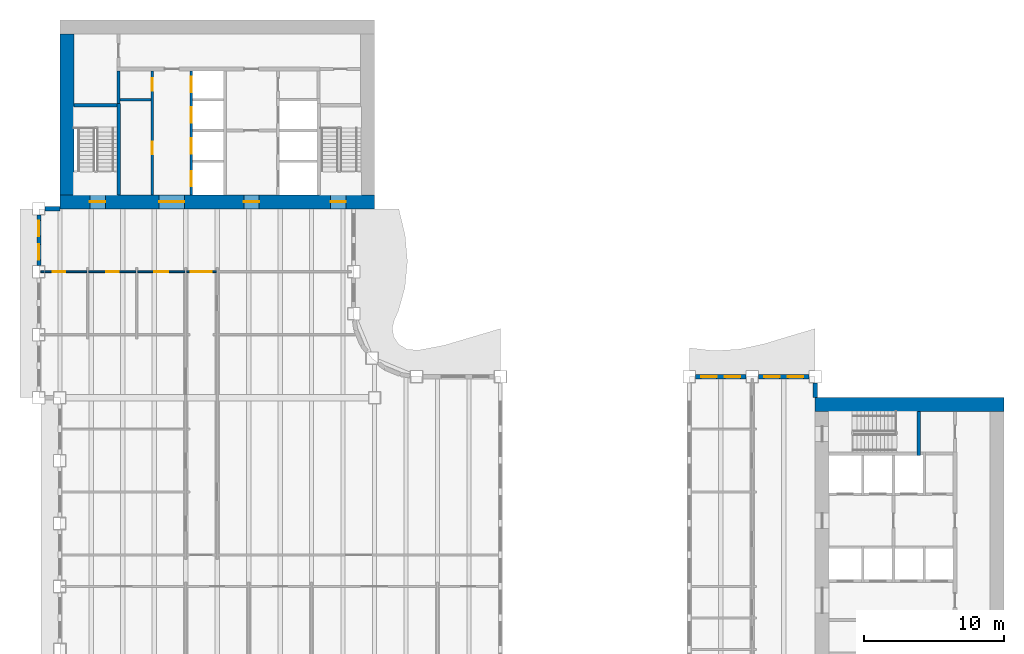
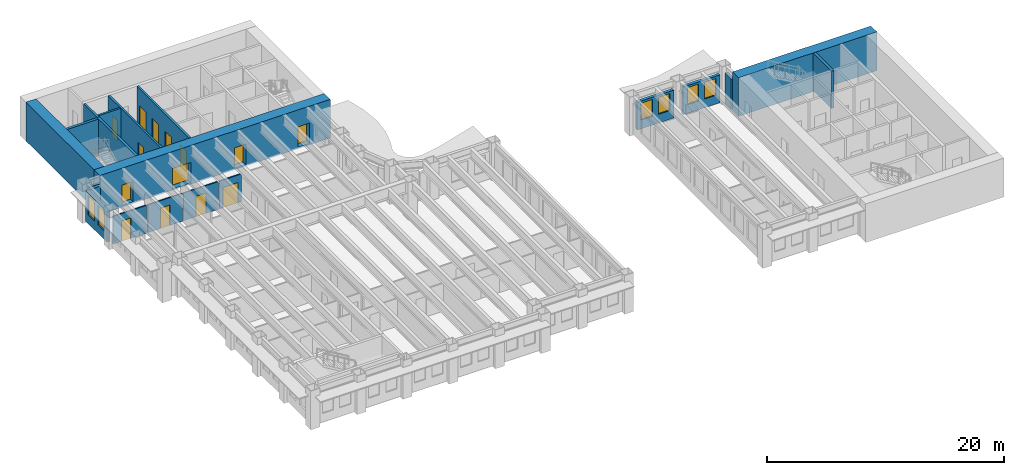
# One storey, part 7 of 13: 19 walls, 14 doors, 6 windows, 20 openings.
"""IFC4 building model written with IfcOpenShell, lengths in metres."""

from ifc_helpers import new_model, si_unit, direction, frame, frame_2d, origin, place, context, subcontext, project, spatial, rectangle, extrude, material, layer, layer_set, type_object, element, fill, save


model = new_model("IFC4")

# Units and contexts
model_context = context("Model", 3, precision=1e-05, world=origin(), true_north=direction((0.0, 1.0)))
body_context = subcontext(model_context, "Body", "Model", "MODEL_VIEW")
ifc_project = project(units=[si_unit("LENGTHUNIT", "METRE"), si_unit("AREAUNIT", "SQUARE_METRE"), si_unit("VOLUMEUNIT", "CUBIC_METRE"), si_unit("PLANEANGLEUNIT", "RADIAN"), si_unit("MASSUNIT", "GRAM", prefix="KILO")], contexts=[model_context])

# Site, building, storey
site_placement = place(None, origin())
site = spatial("IfcSite", under=ifc_project, at=site_placement, CompositionType="ELEMENT")
building_placement = place(site_placement, origin())
building = spatial("IfcBuilding", under=site, at=building_placement, Name="Sennacour Bend Tower", CompositionType="ELEMENT")
storey_placement = place(building_placement, frame((0.0, 0.0, 143.0)))
storey = spatial("IfcBuildingStorey", under=building, at=storey_placement, Name="L32", CompositionType="ELEMENT", Elevation=143.0)

# Wall
ifc_material_1 = material(Name="Concrete C60/75", Category="concrete")
ifc_layer_1 = layer(ifc_material_1, 1.0, Name="Concrete C60/75", Category="concrete")
ifc_layer_set_1 = layer_set([ifc_layer_1], Name="Concrete C60/75")
wall_type_1 = type_object("IfcWallType", Name="Core wall 1000 C60/75", PredefinedType="SHEAR", material=ifc_layer_set_1)
wall_1_placement = place(storey_placement, frame((54.0, 22.0, -0.14990234375), z_axis=(0.0, 0.0, 1.0), x_axis=(1.0, 0.0, 0.0)))
element("IfcWall", 1, at=wall_1_placement, inside=storey, type_object=wall_type_1, Name="Core A wall L32 N", PredefinedType="SHEAR", context=body_context, shape_type="SweptSolid", body=[
    extrude(rectangle(XDim=13.5, YDim=1.0, at=frame_2d((6.75, 0.0))), origin(), (0.0, 0.0, 1.0), 4.0),
])

# Wall, openings, doors
wall_2_placement = place(storey_placement, frame((0.0, 36.5, -0.14990234375), z_axis=(0.0, 0.0, 1.0), x_axis=(1.0, 0.0, 0.0)))
wall_2 = element("IfcWall", 2, at=wall_2_placement, inside=storey, type_object=wall_type_1, Name="Core B wall L32 S", PredefinedType="SHEAR", context=body_context, shape_type="SweptSolid", body=[
    extrude(rectangle(XDim=22.5, YDim=1.0, at=frame_2d((11.25, 0.0))), origin(), (0.0, 0.0, 1.0), 4.0),
])
opening_1_placement = place(wall_2_placement, frame((7.10009765625, 0.0, 0.14990234375)))
opening_1 = element("IfcOpeningElement", 3, at=opening_1_placement, cuts=wall_2, Name="Opening CD", PredefinedType="OPENING", context=body_context, shape_type="SweptSolid", body=[
    extrude(rectangle(XDim=1.800048828125, YDim=2.10009765625, at=frame_2d((0.89990234375, 1.050048828125))), frame((0.0, 0.510009765625, 0.0), z_axis=(0.0, -1.0, 0.0), x_axis=(1.0, 0.0, 0.0)), (0.0, 0.0, 1.0), 1.02001953125),
])
opening_2_placement = place(wall_2_placement, frame((13.14990234375, 0.0, 0.14990234375)))
opening_2 = element("IfcOpeningElement", 4, at=opening_2_placement, cuts=wall_2, Name="Opening FD", PredefinedType="OPENING", context=body_context, shape_type="SweptSolid", body=[
    extrude(rectangle(XDim=1.10009765625, YDim=2.10009765625, at=frame_2d((0.550048828125, 1.050048828125))), frame((0.0, 0.510009765625, 0.0), z_axis=(0.0, -1.0, 0.0), x_axis=(1.0, 0.0, 0.0)), (0.0, 0.0, 1.0), 1.02001953125),
])
opening_3_placement = place(wall_2_placement, frame((2.14990234375, 0.0, 0.14990234375)))
opening_3 = element("IfcOpeningElement", 5, at=opening_3_placement, cuts=wall_2, Name="Opening SD", PredefinedType="OPENING", context=body_context, shape_type="SweptSolid", body=[
    extrude(rectangle(XDim=1.10009765625, YDim=2.10009765625, at=frame_2d((0.550048828125, 1.050048828125))), frame((0.0, 0.510009765625, 0.0), z_axis=(0.0, -1.0, 0.0), x_axis=(1.0, 0.0, 0.0)), (0.0, 0.0, 1.0), 1.02001953125),
])
opening_4_placement = place(wall_2_placement, frame((19.35009765625, 0.0, 0.14990234375)))
opening_4 = element("IfcOpeningElement", 6, at=opening_4_placement, cuts=wall_2, Name="Opening SD", PredefinedType="OPENING", context=body_context, shape_type="SweptSolid", body=[
    extrude(rectangle(XDim=1.10009765625, YDim=2.10009765625, at=frame_2d((0.550048828125, 1.050048828125))), frame((0.0, 0.510009765625, 0.0), z_axis=(0.0, -1.0, 0.0), x_axis=(1.0, 0.0, 0.0)), (0.0, 0.0, 1.0), 1.02001953125),
])
ifc_material_2 = material(Name="Painted steel", Category="steel")
door_type_1 = type_object("IfcDoorType", Name="DR-FFL-1100", OperationType="NOTDEFINED", PredefinedType="DOOR", material=ifc_material_2)
door_1_placement = place(opening_2_placement, origin())
door_1 = element("IfcDoor", 7, at=door_1_placement, inside=storey, type_object=door_type_1, Name="Door", OperationType="SINGLE_SWING_RIGHT", OverallHeight=2.10009765625, OverallWidth=1.10009765625, PredefinedType="DOOR", context=body_context, shape_type="SweptSolid", body=[
    extrude(rectangle(XDim=1.10009765625, YDim=2.10009765625, at=frame_2d((0.550048828125, 1.050048828125))), frame((0.0, 0.02490234375, 0.0), z_axis=(0.0, -1.0, 0.0), x_axis=(1.0, 0.0, 0.0)), (0.0, 0.0, 1.0), 0.050048828125),
])
fill(opening_2, door_1)
door_type_2 = type_object("IfcDoorType", Name="DR-LOBBY-1800", OperationType="NOTDEFINED", PredefinedType="DOOR", material=ifc_material_2)
door_2_placement = place(opening_1_placement, origin())
door_2 = element("IfcDoor", 8, at=door_2_placement, inside=storey, type_object=door_type_2, Name="Door", OperationType="DOUBLE_DOOR_SINGLE_SWING", OverallHeight=2.10009765625, OverallWidth=1.800048828125, PredefinedType="DOOR", context=body_context, shape_type="SweptSolid", body=[
    extrude(rectangle(XDim=1.800048828125, YDim=2.10009765625, at=frame_2d((0.89990234375, 1.050048828125))), frame((0.0, 0.02490234375, 0.0), z_axis=(0.0, -1.0, 0.0), x_axis=(1.0, 0.0, 0.0)), (0.0, 0.0, 1.0), 0.050048828125),
])
fill(opening_1, door_2)
door_type_3 = type_object("IfcDoorType", Name="DR-STAIR-1100", OperationType="NOTDEFINED", PredefinedType="DOOR", material=ifc_material_2)
door_3_placement = place(opening_3_placement, origin())
door_3 = element("IfcDoor", 9, at=door_3_placement, inside=storey, type_object=door_type_3, Name="Door", OperationType="SINGLE_SWING_LEFT", OverallHeight=2.10009765625, OverallWidth=1.10009765625, PredefinedType="DOOR", context=body_context, shape_type="SweptSolid", body=[
    extrude(rectangle(XDim=1.10009765625, YDim=2.10009765625, at=frame_2d((0.550048828125, 1.050048828125))), frame((0.0, 0.02490234375, 0.0), z_axis=(0.0, -1.0, 0.0), x_axis=(1.0, 0.0, 0.0)), (0.0, 0.0, 1.0), 0.050048828125),
])
fill(opening_3, door_3)
door_4_placement = place(opening_4_placement, origin())
door_4 = element("IfcDoor", 10, at=door_4_placement, inside=storey, type_object=door_type_3, Name="Door", OperationType="SINGLE_SWING_RIGHT", OverallHeight=2.10009765625, OverallWidth=1.10009765625, PredefinedType="DOOR", context=body_context, shape_type="SweptSolid", body=[
    extrude(rectangle(XDim=1.10009765625, YDim=2.10009765625, at=frame_2d((0.550048828125, 1.050048828125))), frame((0.0, 0.02490234375, 0.0), z_axis=(0.0, -1.0, 0.0), x_axis=(1.0, 0.0, 0.0)), (0.0, 0.0, 1.0), 0.050048828125),
])
fill(opening_4, door_4)

# Wall
wall_3_placement = place(storey_placement, frame((0.5, 37.0, -0.14990234375), z_axis=(0.0, 0.0, 1.0), x_axis=(0.0, 1.0, 0.0)))
element("IfcWall", 11, at=wall_3_placement, inside=storey, type_object=wall_type_1, Name="Core B wall L32 W", PredefinedType="SHEAR", context=body_context, shape_type="SweptSolid", body=[
    extrude(rectangle(XDim=11.5, YDim=1.0, at=frame_2d((5.75, 0.0))), origin(), (0.0, 0.0, 1.0), 4.0),
])

# Wall, opening, door
ifc_material_3 = material(Name="Plasterboard partition on steel studs", Category="steel")
ifc_layer_2 = layer(ifc_material_3, 0.1201171875, Name="Plasterboard partition on steel studs", Category="steel")
ifc_layer_set_2 = layer_set([ifc_layer_2], Name="Plasterboard partition on steel studs")
wall_type_2 = type_object("IfcWallType", Name="Partition 120", PredefinedType="PARTITIONING", material=ifc_layer_set_2)
wall_4_placement = place(storey_placement, frame((-1.35009765625, 31.5, 0.0), z_axis=(0.0, 0.0, 1.0), x_axis=(1.0, 0.0, 0.0)))
wall_4 = element("IfcWall", 12, at=wall_4_placement, inside=storey, type_object=wall_type_2, Name="P-L32-W069aa", PredefinedType="PARTITIONING", context=body_context, shape_type="SweptSolid", body=[
    extrude(rectangle(XDim=3.2900390625, YDim=0.1201171875, at=frame_2d((1.64501953125, 0.0))), origin(), (0.0, 0.0, 1.0), 2.8701171875),
])
opening_5_placement = place(wall_4_placement, frame((0.85009765625, 0.0, 0.0)))
opening_5 = element("IfcOpeningElement", 13, at=opening_5_placement, cuts=wall_4, Name="Opening WD", PredefinedType="OPENING", context=body_context, shape_type="SweptSolid", body=[
    extrude(rectangle(XDim=0.89990234375, YDim=2.10009765625, at=frame_2d((0.449951171875, 1.050048828125))), frame((0.0, 0.070068359375, 0.0), z_axis=(0.0, -1.0, 0.0), x_axis=(1.0, 0.0, 0.0)), (0.0, 0.0, 1.0), 0.14013671875),
])
ifc_material_4 = material(Name="Timber", Category="wood")
door_type_4 = type_object("IfcDoorType", Name="DR-WC-900", OperationType="NOTDEFINED", PredefinedType="DOOR", material=ifc_material_4)
door_5_placement = place(opening_5_placement, origin())
door_5 = element("IfcDoor", 14, at=door_5_placement, inside=storey, type_object=door_type_4, Name="Door", OperationType="SINGLE_SWING_LEFT", OverallHeight=2.10009765625, OverallWidth=0.89990234375, PredefinedType="DOOR", context=body_context, shape_type="SweptSolid", body=[
    extrude(rectangle(XDim=0.89990234375, YDim=2.10009765625, at=frame_2d((0.449951171875, 1.050048828125))), frame((0.0, 0.02490234375, 0.0), z_axis=(0.0, -1.0, 0.0), x_axis=(1.0, 0.0, 0.0)), (0.0, 0.0, 1.0), 0.050048828125),
])
fill(opening_5, door_5)

wall_5_placement = place(storey_placement, frame((2.06005859375, 31.5, 0.0), z_axis=(0.0, 0.0, 1.0), x_axis=(1.0, 0.0, 0.0)))
wall_5 = element("IfcWall", 15, at=wall_5_placement, inside=storey, type_object=wall_type_2, Name="P-L32-W069ab", PredefinedType="PARTITIONING", context=body_context, shape_type="SweptSolid", body=[
    extrude(rectangle(XDim=3.3798828125, YDim=0.1201171875, at=frame_2d((1.68994140625, 0.0))), origin(), (0.0, 0.0, 1.0), 2.8701171875),
])
opening_6_placement = place(wall_5_placement, frame((1.239990234375, 0.0, 0.0)))
opening_6 = element("IfcOpeningElement", 16, at=opening_6_placement, cuts=wall_5, Name="Opening WD", PredefinedType="OPENING", context=body_context, shape_type="SweptSolid", body=[
    extrude(rectangle(XDim=0.89990234375, YDim=2.10009765625, at=frame_2d((0.449951171875, 1.050048828125))), frame((0.0, 0.070068359375, 0.0), z_axis=(0.0, -1.0, 0.0), x_axis=(1.0, 0.0, 0.0)), (0.0, 0.0, 1.0), 0.14013671875),
])
door_6_placement = place(opening_6_placement, origin())
door_6 = element("IfcDoor", 17, at=door_6_placement, inside=storey, type_object=door_type_4, Name="Door", OperationType="SINGLE_SWING_LEFT", OverallHeight=2.10009765625, OverallWidth=0.89990234375, PredefinedType="DOOR", context=body_context, shape_type="SweptSolid", body=[
    extrude(rectangle(XDim=0.89990234375, YDim=2.10009765625, at=frame_2d((0.449951171875, 1.050048828125))), frame((0.0, 0.02490234375, 0.0), z_axis=(0.0, -1.0, 0.0), x_axis=(1.0, 0.0, 0.0)), (0.0, 0.0, 1.0), 0.050048828125),
])
fill(opening_6, door_6)

wall_6_placement = place(storey_placement, frame((5.56005859375, 31.5, 0.0), z_axis=(0.0, 0.0, 1.0), x_axis=(1.0, 0.0, 0.0)))
wall_6 = element("IfcWall", 18, at=wall_6_placement, inside=storey, type_object=wall_type_2, Name="P-L32-W069ac", PredefinedType="PARTITIONING", context=body_context, shape_type="SweptSolid", body=[
    extrude(rectangle(XDim=3.3798828125, YDim=0.1201171875, at=frame_2d((1.68994140625, 0.0))), origin(), (0.0, 0.0, 1.0), 2.8701171875),
])
opening_7_placement = place(wall_6_placement, frame((1.18994140625, 0.0, 0.0)))
opening_7 = element("IfcOpeningElement", 19, at=opening_7_placement, cuts=wall_6, Name="Opening AD", PredefinedType="OPENING", context=body_context, shape_type="SweptSolid", body=[
    extrude(rectangle(XDim=1.0, YDim=2.10009765625, at=frame_2d((0.5, 1.050048828125))), frame((0.0, 0.070068359375, 0.0), z_axis=(0.0, -1.0, 0.0), x_axis=(1.0, 0.0, 0.0)), (0.0, 0.0, 1.0), 0.14013671875),
])
door_type_5 = type_object("IfcDoorType", Name="DR-ACC-WC-1000", OperationType="NOTDEFINED", PredefinedType="DOOR", material=ifc_material_4)
door_7_placement = place(opening_7_placement, origin())
door_7 = element("IfcDoor", 20, at=door_7_placement, inside=storey, type_object=door_type_5, Name="Door", OperationType="SINGLE_SWING_LEFT", OverallHeight=2.10009765625, OverallWidth=1.0, PredefinedType="DOOR", context=body_context, shape_type="SweptSolid", body=[
    extrude(rectangle(XDim=1.0, YDim=2.10009765625, at=frame_2d((0.5, 1.050048828125))), frame((0.0, 0.02490234375, 0.0), z_axis=(0.0, -1.0, 0.0), x_axis=(1.0, 0.0, 0.0)), (0.0, 0.0, 1.0), 0.050048828125),
])
fill(opening_7, door_7)

ifc_layer_3 = layer(ifc_material_3, 0.1201171875, Name="Plasterboard partition on steel studs", Category="steel")
ifc_layer_set_3 = layer_set([ifc_layer_3], Name="Plasterboard partition on steel studs")
wall_type_3 = type_object("IfcWallType", Name="Partition 120 EI 30", PredefinedType="PARTITIONING", material=ifc_layer_set_3)
wall_7_placement = place(storey_placement, frame((9.06005859375, 31.5, 0.0), z_axis=(0.0, 0.0, 1.0), x_axis=(1.0, 0.0, 0.0)))
wall_7 = element("IfcWall", 21, at=wall_7_placement, inside=storey, type_object=wall_type_3, Name="P-L32-W069ad", PredefinedType="PARTITIONING", context=body_context, shape_type="SweptSolid", body=[
    extrude(rectangle(XDim=2.1298828125, YDim=0.1201171875, at=frame_2d((1.06494140625, 0.0))), origin(), (0.0, 0.0, 1.0), 2.8701171875),
])
opening_8_placement = place(wall_7_placement, frame((0.31494140625, 0.0, 0.0)))
opening_8 = element("IfcOpeningElement", 22, at=opening_8_placement, cuts=wall_7, Name="Opening KD", PredefinedType="OPENING", context=body_context, shape_type="SweptSolid", body=[
    extrude(rectangle(XDim=1.5, YDim=2.10009765625, at=frame_2d((0.75, 1.050048828125))), frame((0.0, 0.070068359375, 0.0), z_axis=(0.0, -1.0, 0.0), x_axis=(1.0, 0.0, 0.0)), (0.0, 0.0, 1.0), 0.14013671875),
])
door_type_6 = type_object("IfcDoorType", Name="DR-CORRIDOR-1500", OperationType="NOTDEFINED", PredefinedType="DOOR", material=ifc_material_2)
door_8_placement = place(opening_8_placement, origin())
door_8 = element("IfcDoor", 23, at=door_8_placement, inside=storey, type_object=door_type_6, Name="Door", OperationType="SINGLE_SWING_LEFT", OverallHeight=2.10009765625, OverallWidth=1.5, PredefinedType="DOOR", context=body_context, shape_type="SweptSolid", body=[
    extrude(rectangle(XDim=1.5, YDim=2.10009765625, at=frame_2d((0.75, 1.050048828125))), frame((0.0, 0.02490234375, 0.0), z_axis=(0.0, -1.0, 0.0), x_axis=(1.0, 0.0, 0.0)), (0.0, 0.0, 1.0), 0.050048828125),
])
fill(opening_8, door_8)

# Wall
ifc_material_5 = material(Name="Fire-rated plasterboard partition on steel studs", Category="steel")
ifc_layer_4 = layer(ifc_material_5, 0.199951171875, Name="Fire-rated plasterboard partition on steel studs", Category="steel")
ifc_layer_set_4 = layer_set([ifc_layer_4], Name="Fire-rated plasterboard partition on steel studs")
wall_type_4 = type_object("IfcWallType", Name="Rated partition 200", PredefinedType="PARTITIONING", material=ifc_layer_set_4)
wall_8_placement = place(storey_placement, frame((4.199951171875, 43.52490234375, 0.0), z_axis=(0.0, 0.0, 1.0), x_axis=(0.0, 1.0, 0.0)))
element("IfcWall", 24, at=wall_8_placement, inside=storey, type_object=wall_type_4, Name="P-L32-W006a", PredefinedType="PARTITIONING", context=body_context, shape_type="SweptSolid", body=[
    extrude(rectangle(XDim=2.3251953125, YDim=0.199951171875, at=frame_2d((1.16259765625, 0.0))), origin(), (0.0, 0.0, 1.0), 3.85009765625),
])

# Wall, openings, doors
wall_9_placement = place(storey_placement, frame((6.60009765625, 37.0, 0.0), z_axis=(0.0, 0.0, 1.0), x_axis=(0.0, 1.0, 0.0)))
wall_9 = element("IfcWall", 25, at=wall_9_placement, inside=storey, type_object=wall_type_4, Name="P-L32-W008", PredefinedType="PARTITIONING", context=body_context, shape_type="SweptSolid", body=[
    extrude(rectangle(XDim=8.85009765625, YDim=0.199951171875, at=frame_2d((4.425048828125, 0.0))), origin(), (0.0, 0.0, 1.0), 3.85009765625),
])
opening_9_placement = place(wall_9_placement, frame((2.89990234375, 0.0, 0.0)))
opening_9 = element("IfcOpeningElement", 26, at=opening_9_placement, cuts=wall_9, Name="Opening SV", PredefinedType="OPENING", context=body_context, shape_type="SweptSolid", body=[
    extrude(rectangle(XDim=0.89990234375, YDim=2.10009765625, at=frame_2d((0.449951171875, 1.050048828125))), frame((0.0, 0.10986328125, 0.0), z_axis=(0.0, -1.0, 0.0), x_axis=(1.0, 0.0, 0.0)), (0.0, 0.0, 1.0), 0.219970703125),
])
opening_10_placement = place(wall_9_placement, frame((7.425048828125, 0.0, 0.0)))
opening_10 = element("IfcOpeningElement", 27, at=opening_10_placement, cuts=wall_9, Name="Opening SV", PredefinedType="OPENING", context=body_context, shape_type="SweptSolid", body=[
    extrude(rectangle(XDim=0.89990234375, YDim=2.10009765625, at=frame_2d((0.449951171875, 1.050048828125))), frame((0.0, 0.10986328125, 0.0), z_axis=(0.0, -1.0, 0.0), x_axis=(1.0, 0.0, 0.0)), (0.0, 0.0, 1.0), 0.219970703125),
])
door_type_7 = type_object("IfcDoorType", Name="DR-SERVICE-900", OperationType="NOTDEFINED", PredefinedType="DOOR", material=ifc_material_2)
door_9_placement = place(opening_9_placement, origin())
door_9 = element("IfcDoor", 28, at=door_9_placement, inside=storey, type_object=door_type_7, Name="Door", OperationType="SINGLE_SWING_LEFT", OverallHeight=2.10009765625, OverallWidth=0.89990234375, PredefinedType="DOOR", context=body_context, shape_type="SweptSolid", body=[
    extrude(rectangle(XDim=0.89990234375, YDim=2.10009765625, at=frame_2d((0.449951171875, 1.050048828125))), frame((0.0, 0.02490234375, 0.0), z_axis=(0.0, -1.0, 0.0), x_axis=(1.0, 0.0, 0.0)), (0.0, 0.0, 1.0), 0.050048828125),
])
fill(opening_9, door_9)
door_10_placement = place(opening_10_placement, origin())
door_10 = element("IfcDoor", 29, at=door_10_placement, inside=storey, type_object=door_type_7, Name="Door", OperationType="SINGLE_SWING_RIGHT", OverallHeight=2.10009765625, OverallWidth=0.89990234375, PredefinedType="DOOR", context=body_context, shape_type="SweptSolid", body=[
    extrude(rectangle(XDim=0.89990234375, YDim=2.10009765625, at=frame_2d((0.449951171875, 1.050048828125))), frame((0.0, 0.02490234375, 0.0), z_axis=(0.0, -1.0, 0.0), x_axis=(1.0, 0.0, 0.0)), (0.0, 0.0, 1.0), 0.050048828125),
])
fill(opening_10, door_10)

# Walls
wall_10_placement = place(storey_placement, frame((4.300048828125, 43.800048828125, 0.0), z_axis=(0.0, 0.0, 1.0), x_axis=(1.0, 0.0, 0.0)))
element("IfcWall", 30, at=wall_10_placement, inside=storey, type_object=wall_type_4, Name="P-L32-W078", PredefinedType="PARTITIONING", context=body_context, shape_type="SweptSolid", body=[
    extrude(rectangle(XDim=2.199951171875, YDim=0.199951171875, at=frame_2d((1.10009765625, 0.0))), origin(), (0.0, 0.0, 1.0), 3.85009765625),
])
ifc_material_6 = material(Name="Warm limestone cladding", Category="masonry")
ifc_layer_5 = layer(ifc_material_6, 0.050048828125, Name="Warm limestone cladding", Category="masonry")
ifc_material_7 = material(Name="Precast concrete C40/50", Category="concrete")
ifc_layer_6 = layer(ifc_material_7, 0.25, Name="Precast concrete C40/50", Category="concrete")
ifc_layer_set_5 = layer_set([ifc_layer_5, ifc_layer_6], Name="Precast concrete C40/50 with limestone cladding")
wall_type_5 = type_object("IfcWallType", Name="STONE-CLAD PRECAST SPANDREL 300", PredefinedType="STANDARD", material=ifc_layer_set_5)
wall_11_placement = place(storey_placement, frame((54.0, 22.5, 0.0), z_axis=(0.0, 0.0, 1.0), x_axis=(0.0, 1.0, 0.0)))
element("IfcWall", 31, at=wall_11_placement, inside=storey, type_object=wall_type_5, Name="Stone spandrel and pier wall L32 05.00", PredefinedType="STANDARD", context=body_context, shape_type="SweptSolid", body=[
    extrude(rectangle(XDim=1.050048828125, YDim=0.300048828125, at=frame_2d((0.52490234375, 0.0))), origin(), (0.0, 0.0, 1.0), 3.14892578125),
])

# Wall, openings, windows
wall_12_placement = place(storey_placement, frame((53.550048828125, 24.0, 0.0), z_axis=(0.0, 0.0, 1.0), x_axis=(-1.0, 0.0, 0.0)))
wall_12 = element("IfcWall", 32, at=wall_12_placement, inside=storey, type_object=wall_type_5, Name="Stone spandrel and pier wall L32 06.00", PredefinedType="STANDARD", context=body_context, shape_type="SweptSolid", body=[
    extrude(rectangle(XDim=3.60009765625, YDim=0.300048828125, at=frame_2d((1.800048828125, 0.0))), origin(), (0.0, 0.0, 1.0), 2.8701171875),
])
opening_11_placement = place(wall_12_placement, frame((0.39990234375, 0.0, 0.89990234375)))
opening_11 = element("IfcOpeningElement", 33, at=opening_11_placement, cuts=wall_12, Name="Opening W17", PredefinedType="OPENING", context=body_context, shape_type="SweptSolid", body=[
    extrude(rectangle(XDim=1.10009765625, YDim=1.75, at=frame_2d((0.550048828125, 0.875))), frame((0.0, 0.16015625, 0.0), z_axis=(0.0, -1.0, 0.0), x_axis=(1.0, 0.0, 0.0)), (0.0, 0.0, 1.0), 0.320068359375),
])
opening_12_placement = place(wall_12_placement, frame((2.10009765625, 0.0, 0.89990234375)))
opening_12 = element("IfcOpeningElement", 34, at=opening_12_placement, cuts=wall_12, Name="Opening W17", PredefinedType="OPENING", context=body_context, shape_type="SweptSolid", body=[
    extrude(rectangle(XDim=1.10009765625, YDim=1.75, at=frame_2d((0.550048828125, 0.875))), frame((0.0, 0.16015625, 0.0), z_axis=(0.0, -1.0, 0.0), x_axis=(1.0, 0.0, 0.0)), (0.0, 0.0, 1.0), 0.320068359375),
])
ifc_material_8 = material(Name="Clear low-emissivity glass", Category="glass")
window_type_1 = type_object("IfcWindowType", Name="WIN-RIBBON-1100x1750", PartitioningType="SINGLE_PANEL", PredefinedType="WINDOW", material=ifc_material_8)
window_1_placement = place(opening_11_placement, origin())
window_1 = element("IfcWindow", 35, at=window_1_placement, inside=storey, type_object=window_type_1, Name="Ribbon window L32 06.00.0", OverallHeight=1.75, OverallWidth=1.10009765625, PartitioningType="SINGLE_PANEL", PredefinedType="WINDOW", context=body_context, shape_type="SweptSolid", body=[
    extrude(rectangle(XDim=1.10009765625, YDim=1.75, at=frame_2d((0.550048828125, 0.875))), frame((0.0, 0.030029296875, 0.0), z_axis=(0.0, -1.0, 0.0), x_axis=(1.0, 0.0, 0.0)), (0.0, 0.0, 1.0), 0.06005859375),
])
fill(opening_11, window_1)
window_2_placement = place(opening_12_placement, origin())
window_2 = element("IfcWindow", 36, at=window_2_placement, inside=storey, type_object=window_type_1, Name="Ribbon window L32 06.00.1", OverallHeight=1.75, OverallWidth=1.10009765625, PartitioningType="SINGLE_PANEL", PredefinedType="WINDOW", context=body_context, shape_type="SweptSolid", body=[
    extrude(rectangle(XDim=1.10009765625, YDim=1.75, at=frame_2d((0.550048828125, 0.875))), frame((0.0, 0.030029296875, 0.0), z_axis=(0.0, -1.0, 0.0), x_axis=(1.0, 0.0, 0.0)), (0.0, 0.0, 1.0), 0.06005859375),
])
fill(opening_12, window_2)

wall_13_placement = place(storey_placement, frame((49.050048828125, 24.0, 0.0), z_axis=(0.0, 0.0, 1.0), x_axis=(-1.0, 0.0, 0.0)))
wall_13 = element("IfcWall", 37, at=wall_13_placement, inside=storey, type_object=wall_type_5, Name="Stone spandrel and pier wall L32 06.01", PredefinedType="STANDARD", context=body_context, shape_type="SweptSolid", body=[
    extrude(rectangle(XDim=3.60009765625, YDim=0.300048828125, at=frame_2d((1.800048828125, 0.0))), origin(), (0.0, 0.0, 1.0), 2.8701171875),
])
opening_13_placement = place(wall_13_placement, frame((0.39990234375, 0.0, 0.89990234375)))
opening_13 = element("IfcOpeningElement", 38, at=opening_13_placement, cuts=wall_13, Name="Opening W17", PredefinedType="OPENING", context=body_context, shape_type="SweptSolid", body=[
    extrude(rectangle(XDim=1.10009765625, YDim=1.75, at=frame_2d((0.550048828125, 0.875))), frame((0.0, 0.16015625, 0.0), z_axis=(0.0, -1.0, 0.0), x_axis=(1.0, 0.0, 0.0)), (0.0, 0.0, 1.0), 0.320068359375),
])
opening_14_placement = place(wall_13_placement, frame((2.10009765625, 0.0, 0.89990234375)))
opening_14 = element("IfcOpeningElement", 39, at=opening_14_placement, cuts=wall_13, Name="Opening W17", PredefinedType="OPENING", context=body_context, shape_type="SweptSolid", body=[
    extrude(rectangle(XDim=1.10009765625, YDim=1.75, at=frame_2d((0.550048828125, 0.875))), frame((0.0, 0.16015625, 0.0), z_axis=(0.0, -1.0, 0.0), x_axis=(1.0, 0.0, 0.0)), (0.0, 0.0, 1.0), 0.320068359375),
])
window_3_placement = place(opening_13_placement, origin())
window_3 = element("IfcWindow", 40, at=window_3_placement, inside=storey, type_object=window_type_1, Name="Ribbon window L32 06.01.0", OverallHeight=1.75, OverallWidth=1.10009765625, PartitioningType="SINGLE_PANEL", PredefinedType="WINDOW", context=body_context, shape_type="SweptSolid", body=[
    extrude(rectangle(XDim=1.10009765625, YDim=1.75, at=frame_2d((0.550048828125, 0.875))), frame((0.0, 0.030029296875, 0.0), z_axis=(0.0, -1.0, 0.0), x_axis=(1.0, 0.0, 0.0)), (0.0, 0.0, 1.0), 0.06005859375),
])
fill(opening_13, window_3)
window_4_placement = place(opening_14_placement, origin())
window_4 = element("IfcWindow", 41, at=window_4_placement, inside=storey, type_object=window_type_1, Name="Ribbon window L32 06.01.1", OverallHeight=1.75, OverallWidth=1.10009765625, PartitioningType="SINGLE_PANEL", PredefinedType="WINDOW", context=body_context, shape_type="SweptSolid", body=[
    extrude(rectangle(XDim=1.10009765625, YDim=1.75, at=frame_2d((0.550048828125, 0.875))), frame((0.0, 0.030029296875, 0.0), z_axis=(0.0, -1.0, 0.0), x_axis=(1.0, 0.0, 0.0)), (0.0, 0.0, 1.0), 0.06005859375),
])
fill(opening_14, window_4)

# Wall
wall_14_placement = place(storey_placement, frame((0.0, 36.0, 0.0), z_axis=(0.0, 0.0, 1.0), x_axis=(-1.0, 0.0, 0.0)))
element("IfcWall", 42, at=wall_14_placement, inside=storey, type_object=wall_type_5, Name="Stone spandrel and pier wall L32 20.00", PredefinedType="STANDARD", context=body_context, shape_type="SweptSolid", body=[
    extrude(rectangle(XDim=1.050048828125, YDim=0.300048828125, at=frame_2d((0.52490234375, 0.0))), origin(), (0.0, 0.0, 1.0), 2.8701171875),
])

# Wall, openings, windows
wall_15_placement = place(storey_placement, frame((-1.5, 35.550048828125, 0.0), z_axis=(0.0, 0.0, 1.0), x_axis=(0.0, -1.0, 0.0)))
wall_15 = element("IfcWall", 43, at=wall_15_placement, inside=storey, type_object=wall_type_5, Name="Stone spandrel and pier wall L32 21.00", PredefinedType="STANDARD", context=body_context, shape_type="SweptSolid", body=[
    extrude(rectangle(XDim=3.60009765625, YDim=0.300048828125, at=frame_2d((1.800048828125, 0.0))), origin(), (0.0, 0.0, 1.0), 3.14892578125),
])
opening_15_placement = place(wall_15_placement, frame((0.39990234375, 0.0, 0.89990234375)))
opening_15 = element("IfcOpeningElement", 44, at=opening_15_placement, cuts=wall_15, Name="Opening W19", PredefinedType="OPENING", context=body_context, shape_type="SweptSolid", body=[
    extrude(rectangle(XDim=1.10009765625, YDim=2.0, at=frame_2d((0.550048828125, 1.0))), frame((0.0, 0.16015625, 0.0), z_axis=(0.0, -1.0, 0.0), x_axis=(1.0, 0.0, 0.0)), (0.0, 0.0, 1.0), 0.320068359375),
])
opening_16_placement = place(wall_15_placement, frame((2.10009765625, 0.0, 0.89990234375)))
opening_16 = element("IfcOpeningElement", 45, at=opening_16_placement, cuts=wall_15, Name="Opening W19", PredefinedType="OPENING", context=body_context, shape_type="SweptSolid", body=[
    extrude(rectangle(XDim=1.10009765625, YDim=2.0, at=frame_2d((0.550048828125, 1.0))), frame((0.0, 0.16015625, 0.0), z_axis=(0.0, -1.0, 0.0), x_axis=(1.0, 0.0, 0.0)), (0.0, 0.0, 1.0), 0.320068359375),
])
window_type_2 = type_object("IfcWindowType", Name="WIN-RIBBON-1100x2000", PartitioningType="SINGLE_PANEL", PredefinedType="WINDOW", material=ifc_material_8)
window_5_placement = place(opening_15_placement, origin())
window_5 = element("IfcWindow", 46, at=window_5_placement, inside=storey, type_object=window_type_2, Name="Ribbon window L32 21.00.0", OverallHeight=2.0, OverallWidth=1.10009765625, PartitioningType="SINGLE_PANEL", PredefinedType="WINDOW", context=body_context, shape_type="SweptSolid", body=[
    extrude(rectangle(XDim=1.10009765625, YDim=2.0, at=frame_2d((0.550048828125, 1.0))), frame((0.0, 0.030029296875, 0.0), z_axis=(0.0, -1.0, 0.0), x_axis=(1.0, 0.0, 0.0)), (0.0, 0.0, 1.0), 0.06005859375),
])
fill(opening_15, window_5)
window_6_placement = place(opening_16_placement, origin())
window_6 = element("IfcWindow", 47, at=window_6_placement, inside=storey, type_object=window_type_2, Name="Ribbon window L32 21.00.1", OverallHeight=2.0, OverallWidth=1.10009765625, PartitioningType="SINGLE_PANEL", PredefinedType="WINDOW", context=body_context, shape_type="SweptSolid", body=[
    extrude(rectangle(XDim=1.10009765625, YDim=2.0, at=frame_2d((0.550048828125, 1.0))), frame((0.0, 0.030029296875, 0.0), z_axis=(0.0, -1.0, 0.0), x_axis=(1.0, 0.0, 0.0)), (0.0, 0.0, 1.0), 0.06005859375),
])
fill(opening_16, window_6)

# Wall, openings, doors
ifc_material_9 = material(Name="Concrete C50/60", Category="concrete")
ifc_layer_7 = layer(ifc_material_9, 0.199951171875, Name="Concrete C50/60", Category="concrete")
ifc_layer_set_6 = layer_set([ifc_layer_7], Name="Concrete C50/60")
wall_type_6 = type_object("IfcWallType", Name="Shaft wall 200", PredefinedType="SOLIDWALL", material=ifc_layer_set_6)
wall_16_placement = place(storey_placement, frame((9.39990234375, 37.0, 0.0), z_axis=(0.0, 0.0, 1.0), x_axis=(0.0, 1.0, 0.0)))
wall_16 = element("IfcWall", 48, at=wall_16_placement, inside=storey, type_object=wall_type_6, Name="P-L32-W013", PredefinedType="SOLIDWALL", context=body_context, shape_type="SweptSolid", body=[
    extrude(rectangle(XDim=8.85009765625, YDim=0.199951171875, at=frame_2d((4.425048828125, 0.0))), origin(), (0.0, 0.0, 1.0), 3.85009765625),
])
opening_17_placement = place(wall_16_placement, frame((0.60009765625, 0.0, 0.011962890625)))
opening_17 = element("IfcOpeningElement", 49, at=opening_17_placement, cuts=wall_16, Name="Opening LD", PredefinedType="OPENING", context=body_context, shape_type="SweptSolid", body=[
    extrude(rectangle(XDim=1.10009765625, YDim=2.10009765625, at=frame_2d((0.550048828125, 1.050048828125))), frame((0.0, 0.10986328125, 0.0), z_axis=(0.0, -1.0, 0.0), x_axis=(1.0, 0.0, 0.0)), (0.0, 0.0, 1.0), 0.219970703125),
])
opening_18_placement = place(wall_16_placement, frame((2.949951171875, 0.0, 0.011962890625)))
opening_18 = element("IfcOpeningElement", 50, at=opening_18_placement, cuts=wall_16, Name="Opening LD", PredefinedType="OPENING", context=body_context, shape_type="SweptSolid", body=[
    extrude(rectangle(XDim=1.10009765625, YDim=2.10009765625, at=frame_2d((0.550048828125, 1.050048828125))), frame((0.0, 0.10986328125, 0.0), z_axis=(0.0, -1.0, 0.0), x_axis=(1.0, 0.0, 0.0)), (0.0, 0.0, 1.0), 0.219970703125),
])
opening_19_placement = place(wall_16_placement, frame((5.14990234375, 0.0, 0.011962890625)))
opening_19 = element("IfcOpeningElement", 51, at=opening_19_placement, cuts=wall_16, Name="Opening LD", PredefinedType="OPENING", context=body_context, shape_type="SweptSolid", body=[
    extrude(rectangle(XDim=1.10009765625, YDim=2.10009765625, at=frame_2d((0.550048828125, 1.050048828125))), frame((0.0, 0.10986328125, 0.0), z_axis=(0.0, -1.0, 0.0), x_axis=(1.0, 0.0, 0.0)), (0.0, 0.0, 1.0), 0.219970703125),
])
opening_20_placement = place(wall_16_placement, frame((7.324951171875, 0.0, 0.011962890625)))
opening_20 = element("IfcOpeningElement", 52, at=opening_20_placement, cuts=wall_16, Name="Opening LD", PredefinedType="OPENING", context=body_context, shape_type="SweptSolid", body=[
    extrude(rectangle(XDim=1.10009765625, YDim=2.10009765625, at=frame_2d((0.550048828125, 1.050048828125))), frame((0.0, 0.10986328125, 0.0), z_axis=(0.0, -1.0, 0.0), x_axis=(1.0, 0.0, 0.0)), (0.0, 0.0, 1.0), 0.219970703125),
])
ifc_material_10 = material(Name="Stainless steel", Category="steel")
door_type_8 = type_object("IfcDoorType", Name="DR-LANDING-1100", OperationType="NOTDEFINED", PredefinedType="DOOR", material=ifc_material_10)
door_11_placement = place(opening_17_placement, origin())
door_11 = element("IfcDoor", 53, at=door_11_placement, inside=storey, type_object=door_type_8, Name="Lift landing door MB1", OperationType="SLIDING_TO_RIGHT", OverallHeight=2.10009765625, OverallWidth=1.10009765625, PredefinedType="DOOR", context=body_context, shape_type="SweptSolid", body=[
    extrude(rectangle(XDim=1.10009765625, YDim=2.10009765625, at=frame_2d((0.550048828125, 1.050048828125))), frame((0.0, 0.02490234375, 0.0), z_axis=(0.0, -1.0, 0.0), x_axis=(1.0, 0.0, 0.0)), (0.0, 0.0, 1.0), 0.050048828125),
])
fill(opening_17, door_11)
door_12_placement = place(opening_18_placement, origin())
door_12 = element("IfcDoor", 54, at=door_12_placement, inside=storey, type_object=door_type_8, Name="Lift landing door MB2", OperationType="SLIDING_TO_LEFT", OverallHeight=2.10009765625, OverallWidth=1.10009765625, PredefinedType="DOOR", context=body_context, shape_type="SweptSolid", body=[
    extrude(rectangle(XDim=1.10009765625, YDim=2.10009765625, at=frame_2d((0.550048828125, 1.050048828125))), frame((0.0, 0.02490234375, 0.0), z_axis=(0.0, -1.0, 0.0), x_axis=(1.0, 0.0, 0.0)), (0.0, 0.0, 1.0), 0.050048828125),
])
fill(opening_18, door_12)
door_13_placement = place(opening_19_placement, origin())
door_13 = element("IfcDoor", 55, at=door_13_placement, inside=storey, type_object=door_type_8, Name="Lift landing door MB3", OperationType="SLIDING_TO_RIGHT", OverallHeight=2.10009765625, OverallWidth=1.10009765625, PredefinedType="DOOR", context=body_context, shape_type="SweptSolid", body=[
    extrude(rectangle(XDim=1.10009765625, YDim=2.10009765625, at=frame_2d((0.550048828125, 1.050048828125))), frame((0.0, 0.02490234375, 0.0), z_axis=(0.0, -1.0, 0.0), x_axis=(1.0, 0.0, 0.0)), (0.0, 0.0, 1.0), 0.050048828125),
])
fill(opening_19, door_13)
door_14_placement = place(opening_20_placement, origin())
door_14 = element("IfcDoor", 56, at=door_14_placement, inside=storey, type_object=door_type_8, Name="Lift landing door MB4", OperationType="SLIDING_TO_LEFT", OverallHeight=2.10009765625, OverallWidth=1.10009765625, PredefinedType="DOOR", context=body_context, shape_type="SweptSolid", body=[
    extrude(rectangle(XDim=1.10009765625, YDim=2.10009765625, at=frame_2d((0.550048828125, 1.050048828125))), frame((0.0, 0.02490234375, 0.0), z_axis=(0.0, -1.0, 0.0), x_axis=(1.0, 0.0, 0.0)), (0.0, 0.0, 1.0), 0.050048828125),
])
fill(opening_20, door_14)

# Walls
ifc_layer_8 = layer(ifc_material_1, 0.25, Name="Concrete C60/75", Category="concrete")
ifc_layer_set_7 = layer_set([ifc_layer_8], Name="Concrete C60/75")
wall_type_7 = type_object("IfcWallType", Name="Stair wall 250", PredefinedType="SHEAR", material=ifc_layer_set_7)
wall_17_placement = place(storey_placement, frame((4.199951171875, 37.0, 0.0), z_axis=(0.0, 0.0, 1.0), x_axis=(0.0, 1.0, 0.0)))
element("IfcWall", 57, at=wall_17_placement, inside=storey, type_object=wall_type_7, Name="P-L32-W005", PredefinedType="SHEAR", context=body_context, shape_type="SweptSolid", body=[
    extrude(rectangle(XDim=6.52490234375, YDim=0.25, at=frame_2d((3.262451171875, 0.0))), origin(), (0.0, 0.0, 1.0), 3.85009765625),
])
wall_18_placement = place(storey_placement, frame((61.39990234375, 18.375, 0.0), z_axis=(0.0, 0.0, 1.0), x_axis=(0.0, 1.0, 0.0)))
element("IfcWall", 58, at=wall_18_placement, inside=storey, type_object=wall_type_7, Name="P-L32-W035", PredefinedType="SHEAR", context=body_context, shape_type="SweptSolid", body=[
    extrude(rectangle(XDim=3.125, YDim=0.25, at=frame_2d((1.5625, 0.0))), origin(), (0.0, 0.0, 1.0), 3.85009765625),
])
wall_19_placement = place(storey_placement, frame((1.0, 43.39990234375, 0.0), z_axis=(0.0, 0.0, 1.0), x_axis=(1.0, 0.0, 0.0)))
element("IfcWall", 59, at=wall_19_placement, inside=storey, type_object=wall_type_7, Name="P-L32-W076", PredefinedType="SHEAR", context=body_context, shape_type="SweptSolid", body=[
    extrude(rectangle(XDim=3.074951171875, YDim=0.25, at=frame_2d((1.53759765625, 0.0))), origin(), (0.0, 0.0, 1.0), 3.85009765625),
])

save(model, "model.ifc")
